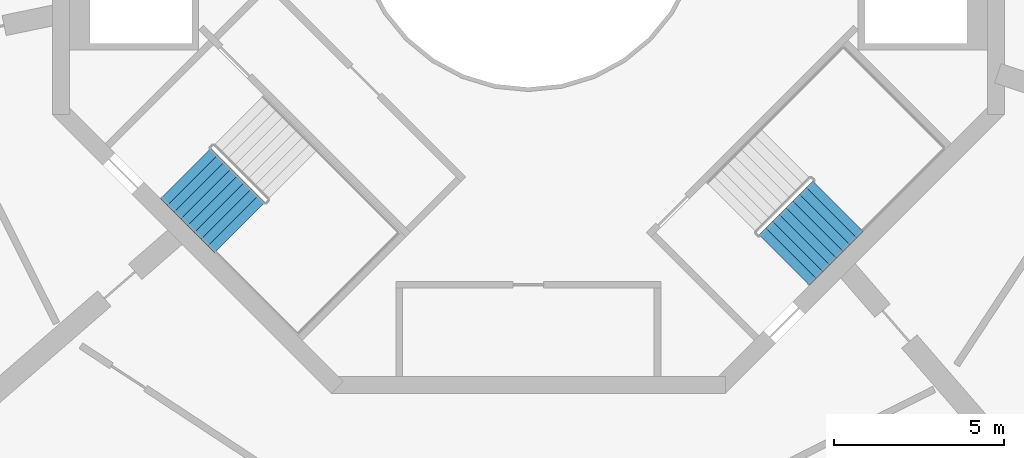
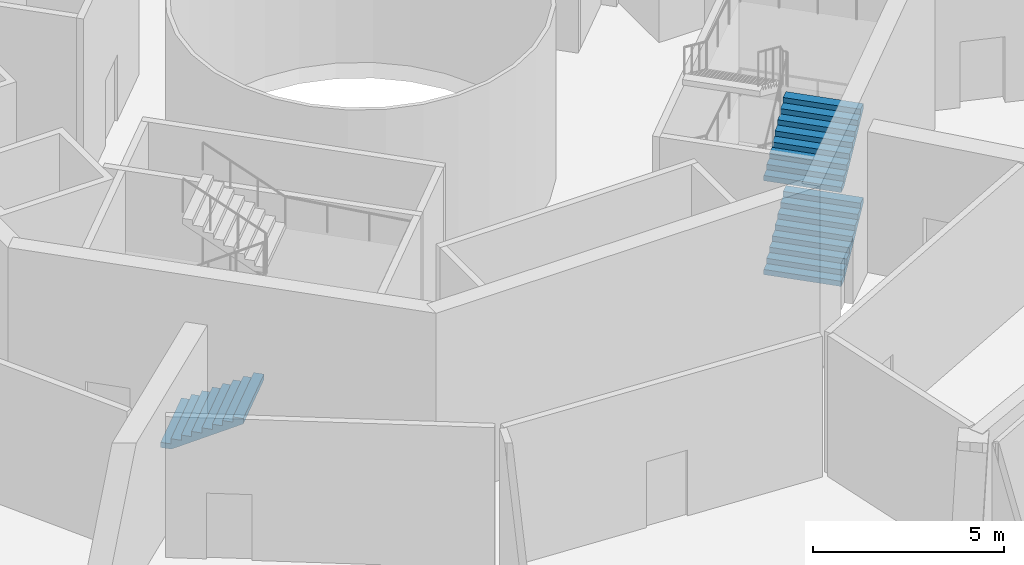
# One storey, part 10 of 16: 3 stair flights, 2 elements without a shape of their own.
"""IFC4 building model written with IfcOpenShell, lengths in metres."""

import ifcopenshell
import ifcopenshell.guid

model = None  # the IFC model being written
_history = None  # IfcOwnerHistory: only IFC2X3 demands one
_inside = {}  # id of a spatial element -> (the spatial element, [elements in it])
_under = {}  # id of a project, library or spatial element -> (it, [spatial elements below it])
_declared = {}  # id of a project -> (the project, [libraries it declares])
_typed = {}  # id of a type object -> (the type object, [elements of that type])
_made_of = {}  # id of a material, layer set ... -> (it, [elements and type objects made of it])


def new_model(schema):
    """Start an empty IFC model of exactly this schema.

    Asked for "IFC4X3", IfcOpenShell would pick the latest addendum, in which some entities
    have other attributes; the version numbers below select the first issue.
    IFC2X3 requires an IfcOwnerHistory on every rooted entity: one is made here for all.
    """
    global model, _history
    if schema == "IFC4X3":
        model = ifcopenshell.file(schema_version=(4, 3, 0, 0))
    else:
        model = ifcopenshell.file(schema=schema)
    _inside.clear()
    _under.clear()
    _declared.clear()
    _typed.clear()
    _made_of.clear()
    _history = None
    if model.schema == "IFC2X3":
        org = make("IfcOrganization", Name="unknown")
        user = make(
            "IfcPersonAndOrganization",
            ThePerson=make("IfcPerson", FamilyName="unknown"),
            TheOrganization=org,
        )
        app = make(
            "IfcApplication",
            ApplicationDeveloper=org,
            Version="unknown",
            ApplicationFullName="unknown",
            ApplicationIdentifier="unknown",
        )
        _history = make(
            "IfcOwnerHistory",
            OwningUser=user,
            OwningApplication=app,
            ChangeAction="ADDED",
            CreationDate=0,
        )
    return model


def make(cls, **values):
    """One entity of the class cls with the attributes given. An attribute that is None is left unset."""
    return model.create_entity(
        cls, **{name: value for name, value in values.items() if value is not None}
    )


def rooted(cls, **values):
    """An entity with a GlobalId (a new one), such as an element, a storey or a relation."""
    return make(cls, GlobalId=ifcopenshell.guid.new(), OwnerHistory=_history, **values)


def si_unit(unit_type, name, prefix=None):
    """IfcSIUnit, for example si_unit("LENGTHUNIT", "METRE", prefix="MILLI")."""
    return make("IfcSIUnit", UnitType=unit_type, Prefix=prefix, Name=name)


def assignment(units):
    """IfcUnitAssignment: the units of a project."""
    return None if units is None else make("IfcUnitAssignment", Units=units)


def point(xyz):
    """IfcCartesianPoint."""
    return None if xyz is None else make("IfcCartesianPoint", Coordinates=xyz)


def direction(xyz):
    """IfcDirection."""
    return None if xyz is None else make("IfcDirection", DirectionRatios=xyz)


def frame(location, z_axis=None, x_axis=None):
    """IfcAxis2Placement3D, a coordinate frame: its origin and axes. An axis left out is left unset."""
    return make(
        "IfcAxis2Placement3D",
        Location=point(location),
        Axis=direction(z_axis),
        RefDirection=direction(x_axis),
    )


def origin():
    """The frame at (0, 0, 0) with its axes left unset."""
    return frame((0.0, 0.0, 0.0))


def place(relative_to, where):
    """IfcLocalPlacement: puts the frame where relative to a parent placement (None: the world)."""
    return make(
        "IfcLocalPlacement", PlacementRelTo=relative_to, RelativePlacement=where
    )


def context(
    kind, dimensions, precision=None, world=None, true_north=None, identifier=None
):
    """IfcGeometricRepresentationContext, for example the 3D "Model" context."""
    return make(
        "IfcGeometricRepresentationContext",
        ContextIdentifier=identifier,
        ContextType=kind,
        CoordinateSpaceDimension=dimensions,
        Precision=precision,
        WorldCoordinateSystem=world,
        TrueNorth=true_north,
    )


def subcontext(parent, identifier, kind, view, scale=None):
    """IfcGeometricRepresentationSubContext, for example "Body" below "Model"."""
    return make(
        "IfcGeometricRepresentationSubContext",
        ContextIdentifier=identifier,
        ContextType=kind,
        ParentContext=parent,
        TargetScale=scale,
        TargetView=view,
    )


def project(units=None, contexts=None):
    """IfcProject with its units and contexts."""
    return rooted(
        "IfcProject",
        Name="project",
        RepresentationContexts=contexts,
        UnitsInContext=assignment(units),
    )


def spatial(cls, under=None, at=None, **own):
    """A site, building, storey or space (cls), placed at a placement, below another one or the project."""
    s = rooted(cls, ObjectPlacement=at, **own)
    if under is not None:
        _under.setdefault(under.id(), (under, []))[1].append(s)
    return s


def point_list(points):
    """IfcCartesianPointList2D or 3D."""
    cls = (
        "IfcCartesianPointList2D" if len(points[0]) == 2 else "IfcCartesianPointList3D"
    )
    return make(cls, CoordList=points)


def triangles(points, corners, closed=None, point_numbers=None):
    """IfcTriangulatedFaceSet: each triangle names its three corners, points numbered from 1."""
    return make(
        "IfcTriangulatedFaceSet",
        Coordinates=point_list(points),
        Closed=closed,
        CoordIndex=corners,
        PnIndex=point_numbers,
    )


def shape(context_of_items, identifier, shape_type, items):
    """IfcShapeRepresentation: the items that make up one representation, for example the "Body"."""
    return make(
        "IfcShapeRepresentation",
        ContextOfItems=context_of_items,
        RepresentationIdentifier=identifier,
        RepresentationType=shape_type,
        Items=items,
    )


def material(Name=None, Category=None):
    """IfcMaterial."""
    return make("IfcMaterial", Name=Name, Category=Category)


def made_of(thing, what):
    """Note that an element or type object is made of a material, layer set ...; save() writes the relation."""
    if what is not None:
        _made_of.setdefault(what.id(), (what, []))[1].append(thing)
    return thing


def type_object(cls, material=None, **own):
    """A type object (cls), such as IfcWallType, which elements share."""
    return made_of(rooted(cls, **own), material)


def element(
    cls,
    number,
    at=None,
    inside=None,
    cuts=None,
    type_object=None,
    material=None,
    context=None,
    identifier="Body",
    shape_type=None,
    held_by="IfcProductDefinitionShape",
    body=None,
    shapes=None,
    **own,
):
    """One element of the class cls, such as IfcWall. Its Tag is "e" and its number.

    at: its placement. inside: the storey or other place that contains it. cuts: it is an
    opening in that element (IfcRelVoidsElement). A single representation is given by context,
    identifier, shape_type and body (its items); several are given by shapes. held_by: the class
    of the entity that holds the representations. save() writes the other relations.
    """
    e = rooted(cls, Tag="e%d" % number, ObjectPlacement=at, **own)
    if body is not None:
        shapes = [shape(context, identifier, shape_type, body)]
    if shapes is not None:
        e.Representation = make(held_by, Representations=shapes)
    if inside is not None:
        _inside.setdefault(inside.id(), (inside, []))[1].append(e)
    if cuts is not None:
        rooted(
            "IfcRelVoidsElement", RelatingBuildingElement=cuts, RelatedOpeningElement=e
        )
    if type_object is not None:
        _typed.setdefault(type_object.id(), (type_object, []))[1].append(e)
    return made_of(e, material)


def aggregate(whole, parts):
    """IfcRelAggregates: a whole, such as a stair, and the parts it consists of."""
    return rooted("IfcRelAggregates", RelatingObject=whole, RelatedObjects=parts)


def save(model, path):
    """Write the relations noted so far, then the file.

    IfcRelAggregates (storeys below a building ...), IfcRelContainedInSpatialStructure (elements
    in a storey), IfcRelDefinesByType, IfcRelAssociatesMaterial and IfcRelDeclares: one each for
    every whole, place, type object, material and project.
    """
    for whole, parts in _under.values():
        aggregate(whole, parts)
    for where, things in _inside.values():
        rooted(
            "IfcRelContainedInSpatialStructure",
            RelatedElements=things,
            RelatingStructure=where,
        )
    for kind, things in _typed.values():
        rooted("IfcRelDefinesByType", RelatedObjects=things, RelatingType=kind)
    for what, things in _made_of.values():
        rooted("IfcRelAssociatesMaterial", RelatedObjects=things, RelatingMaterial=what)
    for by, libraries in _declared.values():
        rooted("IfcRelDeclares", RelatingContext=by, RelatedDefinitions=libraries)
    model.write(path)


model = new_model("IFC4")

# Units and contexts
model_context = context("Model", 3, precision=1e-05, world=origin(), true_north=direction((0.0, 1.0)))
body_context = subcontext(model_context, "Body", "Model", "MODEL_VIEW")
ifc_project = project(units=[si_unit("LENGTHUNIT", "METRE"), si_unit("AREAUNIT", "SQUARE_METRE"), si_unit("VOLUMEUNIT", "CUBIC_METRE"), si_unit("PLANEANGLEUNIT", "RADIAN"), si_unit("MASSUNIT", "GRAM", prefix="KILO")], contexts=[model_context])

# Site, building, storey
site_placement = place(None, origin())
site = spatial("IfcSite", under=ifc_project, at=site_placement, CompositionType="ELEMENT")
building_placement = place(site_placement, origin())
building = spatial("IfcBuilding", under=site, at=building_placement, Name="Verdalira Terraces Hotel", CompositionType="ELEMENT")
storey_placement = place(building_placement, frame((0.0, 0.0, 263.0)))
storey = spatial("IfcBuildingStorey", under=building, at=storey_placement, Name="L65", CompositionType="ELEMENT", Elevation=263.0)

# Stair, stair flight
ifc_material_1 = material(Name="Concrete C40", Category="concrete")
stair_type = type_object("IfcStairType", Name="Core stair 36 risers 2100 mm wide", PredefinedType="HALF_TURN_STAIR", material=ifc_material_1)
stair_1_placement = place(storey_placement, origin())
stair_1 = element("IfcStair", 1, at=stair_1_placement, inside=storey, type_object=stair_type, Name="L65 Exit stair ST2", PredefinedType="HALF_TURN_STAIR")
ifc_material_2 = material(Name="Concrete C40", Category="concrete")
stair_flight_type = type_object("IfcStairFlightType", Name="Core stair flight 36 risers 2100 mm wide", PredefinedType="STRAIGHT", material=ifc_material_2)
stair_flight_1_placement = place(storey_placement, frame((-10.076172, -7.530762, 0.0), z_axis=(0.0, 0.0, 1.0), x_axis=(0.707106781, -0.707106781, 0.0)))
stair_flight_1 = element("IfcStairFlight", 2, at=stair_flight_1_placement, type_object=stair_flight_type, Name="ST2 flight 1", NumberOfRisers=9, NumberOfTreads=8, PredefinedType="STRAIGHT", RiserHeight=0.166666667, TreadLength=0.28, context=body_context, shape_type="Tessellation", body=[
    triangles([(0.0, 1.050049, 0.0), (0.292969, 1.050049, 0.0), (2.23999, 1.050049, 1.158936), (0.0, -1.050049, 0.0), (0.292969, -1.050049, 0.0), (2.23999, -1.050049, 1.158936), (2.23999, 1.050049, 1.333252), (1.959961, 1.050049, 1.333252), (2.23999, -1.050049, 1.333252), (1.959961, -1.050049, 1.333252), (1.959961, 1.050049, 1.166748), (1.959961, -1.050049, 1.166748), (1.679932, 1.050049, 1.166748), (1.679932, -1.050049, 1.166748), (1.679932, 1.050049, 1.0), (1.679932, -1.050049, 1.0), (1.399902, 1.050049, 1.0), (1.399902, 1.050049, 0.833252), (1.399902, -1.050049, 1.0), (1.399902, -1.050049, 0.833252), (1.120117, 1.050049, 0.833252), (1.120117, 1.050049, 0.666748), (1.120117, -1.050049, 0.833252), (1.120117, -1.050049, 0.666748), (0.840088, 1.050049, 0.666748), (0.840088, 1.050049, 0.5), (0.840088, -1.050049, 0.666748), (0.840088, -1.050049, 0.5), (0.560059, 1.050049, 0.5), (0.560059, 1.050049, 0.333252), (0.560059, -1.050049, 0.5), (0.560059, -1.050049, 0.333252), (0.280029, 1.050049, 0.333252), (0.280029, 1.050049, 0.166748), (0.280029, -1.050049, 0.333252), (0.280029, -1.050049, 0.166748), (0.0, 1.050049, 0.166748), (0.0, -1.050049, 0.166748), (0.0, -0.984421, 0.0), (0.0, -0.984421, 0.166748), (0.0, -0.918793, 0.0), (0.0, -0.918793, 0.166748), (0.0, -0.853165, 0.0), (0.0, -0.853165, 0.166748), (0.0, -0.787537, 0.0), (0.0, -0.787537, 0.166748), (0.0, -0.721909, 0.0), (0.0, -0.721909, 0.166748), (0.0, -0.656281, 0.0), (0.0, -0.656281, 0.166748), (0.0, -0.590652, 0.0), (0.0, -0.590652, 0.166748), (0.0, -0.525024, 0.0), (0.0, -0.525024, 0.166748), (0.0, -0.459396, 0.0), (0.0, -0.459396, 0.166748), (0.0, -0.393768, 0.0), (0.0, -0.393768, 0.166748), (0.0, -0.32814, 0.0), (0.0, -0.32814, 0.166748), (0.0, -0.262512, 0.0), (0.0, -0.262512, 0.166748), (0.0, -0.196884, 0.0), (0.0, -0.196884, 0.166748), (0.0, -0.131256, 0.0), (0.0, -0.131256, 0.166748), (0.0, -0.065628, 0.0), (0.0, -0.065628, 0.166748), (0.0, 0.0, 0.0), (0.0, 0.0, 0.166748), (0.0, 0.065628, 0.0), (0.0, 0.065628, 0.166748), (0.0, 0.131256, 0.0), (0.0, 0.131256, 0.166748), (0.0, 0.196884, 0.0), (0.0, 0.196884, 0.166748), (0.0, 0.262512, 0.0), (0.0, 0.262512, 0.166748), (0.0, 0.32814, 0.0), (0.0, 0.32814, 0.166748), (0.0, 0.393768, 0.0), (0.0, 0.393768, 0.166748), (0.0, 0.459396, 0.0), (0.0, 0.459396, 0.166748), (0.0, 0.525024, 0.0), (0.0, 0.525024, 0.166748), (0.0, 0.590652, 0.0), (0.0, 0.590652, 0.166748), (0.0, 0.656281, 0.0), (0.0, 0.656281, 0.166748), (0.0, 0.721909, 0.0), (0.0, 0.721909, 0.166748), (0.0, 0.787537, 0.0), (0.0, 0.787537, 0.166748), (0.0, 0.853165, 0.0), (0.0, 0.853165, 0.166748), (0.0, 0.918793, 0.0), (0.0, 0.918793, 0.166748), (0.0, 0.984421, 0.0), (0.0, 0.984421, 0.166748), (2.23999, -0.984421, 1.333252), (2.23999, -0.918793, 1.333252), (2.23999, -0.853165, 1.333252), (2.23999, -0.787537, 1.333252), (2.23999, -0.721909, 1.333252), (2.23999, -0.656281, 1.333252), (2.23999, -0.590652, 1.333252), (2.23999, -0.525024, 1.333252), (2.23999, -0.459396, 1.333252), (2.23999, -0.393768, 1.333252), (2.23999, -0.32814, 1.333252), (2.23999, -0.262512, 1.333252), (2.23999, -0.196884, 1.333252), (2.23999, -0.131256, 1.333252), (2.23999, -0.065628, 1.333252), (2.23999, 0.0, 1.333252), (2.23999, 0.065628, 1.333252), (2.23999, 0.131256, 1.333252), (2.23999, 0.196884, 1.333252), (2.23999, 0.262512, 1.333252), (2.23999, 0.32814, 1.333252), (2.23999, 0.393768, 1.333252), (2.23999, 0.459396, 1.333252), (2.23999, 0.525024, 1.333252), (2.23999, 0.590652, 1.333252), (2.23999, 0.656281, 1.333252), (2.23999, 0.721909, 1.333252), (2.23999, 0.787537, 1.333252), (2.23999, 0.853165, 1.333252), (2.23999, 0.918793, 1.333252), (2.23999, 0.984421, 1.333252), (2.23999, -0.984421, 1.158936), (2.23999, -0.918793, 1.158936), (2.23999, -0.853165, 1.158936), (2.23999, -0.787537, 1.158936), (2.23999, -0.721909, 1.158936), (2.23999, -0.656281, 1.158936), (2.23999, -0.590652, 1.158936), (2.23999, -0.525024, 1.158936), (2.23999, -0.459396, 1.158936), (2.23999, -0.393768, 1.158936), (2.23999, -0.32814, 1.158936), (2.23999, -0.262512, 1.158936), (2.23999, -0.196884, 1.158936), (2.23999, -0.131256, 1.158936), (2.23999, -0.065628, 1.158936), (2.23999, 0.0, 1.158936), (2.23999, 0.065628, 1.158936), (2.23999, 0.131256, 1.158936), (2.23999, 0.196884, 1.158936), (2.23999, 0.262512, 1.158936), (2.23999, 0.32814, 1.158936), (2.23999, 0.393768, 1.158936), (2.23999, 0.459396, 1.158936), (2.23999, 0.525024, 1.158936), (2.23999, 0.590652, 1.158936), (2.23999, 0.656281, 1.158936), (2.23999, 0.721909, 1.158936), (2.23999, 0.787537, 1.158936), (2.23999, 0.853165, 1.158936), (2.23999, 0.918793, 1.158936), (2.23999, 0.984421, 1.158936)], [[1, 3, 2], [4, 5, 6], [3, 8, 7], [6, 9, 10], [3, 11, 8], [6, 10, 12], [3, 13, 11], [6, 12, 14], [3, 15, 13], [6, 14, 16], [15, 18, 17], [16, 19, 20], [3, 18, 15], [6, 16, 20], [18, 22, 21], [20, 23, 24], [3, 22, 18], [6, 20, 24], [22, 26, 25], [24, 27, 28], [3, 26, 22], [6, 24, 28], [26, 30, 29], [28, 31, 32], [3, 30, 26], [6, 28, 32], [1, 30, 3], [4, 6, 32], [30, 34, 33], [32, 35, 36], [1, 34, 30], [4, 32, 36], [34, 1, 37], [36, 38, 4], [4, 40, 39], [4, 38, 40], [39, 42, 41], [39, 40, 42], [41, 44, 43], [41, 42, 44], [43, 46, 45], [43, 44, 46], [45, 48, 47], [45, 46, 48], [47, 50, 49], [47, 48, 50], [49, 52, 51], [49, 50, 52], [51, 54, 53], [51, 52, 54], [53, 56, 55], [53, 54, 56], [55, 58, 57], [55, 56, 58], [57, 60, 59], [57, 58, 60], [59, 62, 61], [59, 60, 62], [61, 64, 63], [61, 62, 64], [63, 66, 65], [63, 64, 66], [65, 68, 67], [65, 66, 68], [67, 70, 69], [67, 68, 70], [69, 72, 71], [69, 70, 72], [71, 74, 73], [71, 72, 74], [73, 76, 75], [73, 74, 76], [75, 78, 77], [75, 76, 78], [77, 80, 79], [77, 78, 80], [79, 82, 81], [79, 80, 82], [81, 84, 83], [81, 82, 84], [83, 86, 85], [83, 84, 86], [85, 88, 87], [85, 86, 88], [87, 90, 89], [87, 88, 90], [89, 92, 91], [89, 90, 92], [91, 94, 93], [91, 92, 94], [93, 96, 95], [93, 94, 96], [95, 98, 97], [95, 96, 98], [97, 100, 99], [97, 98, 100], [99, 37, 1], [99, 100, 37], [38, 36, 40], [40, 36, 42], [42, 36, 44], [44, 36, 46], [46, 36, 48], [48, 36, 50], [50, 36, 52], [52, 36, 54], [54, 36, 56], [56, 36, 58], [58, 36, 60], [60, 36, 62], [62, 36, 64], [64, 36, 66], [66, 36, 68], [68, 36, 70], [70, 36, 72], [72, 36, 74], [74, 36, 76], [76, 36, 78], [78, 36, 80], [80, 36, 82], [82, 36, 84], [84, 36, 86], [86, 36, 88], [88, 36, 90], [90, 36, 92], [92, 36, 94], [94, 36, 96], [96, 36, 98], [98, 36, 100], [100, 36, 37], [37, 36, 34], [36, 33, 34], [36, 35, 33], [35, 30, 33], [35, 32, 30], [32, 29, 30], [32, 31, 29], [31, 26, 29], [31, 28, 26], [28, 25, 26], [28, 27, 25], [27, 22, 25], [27, 24, 22], [24, 21, 22], [24, 23, 21], [23, 18, 21], [23, 20, 18], [20, 17, 18], [20, 19, 17], [19, 15, 17], [19, 16, 15], [16, 13, 15], [16, 14, 13], [14, 11, 13], [14, 12, 11], [12, 8, 11], [12, 10, 8], [9, 101, 10], [101, 102, 10], [102, 103, 10], [103, 104, 10], [104, 105, 10], [105, 106, 10], [106, 107, 10], [107, 108, 10], [108, 109, 10], [109, 110, 10], [110, 111, 10], [111, 112, 10], [112, 113, 10], [113, 114, 10], [114, 115, 10], [115, 116, 10], [116, 117, 10], [117, 118, 10], [118, 119, 10], [119, 120, 10], [120, 121, 10], [121, 122, 10], [122, 123, 10], [123, 124, 10], [124, 125, 10], [125, 126, 10], [126, 127, 10], [127, 128, 10], [128, 129, 10], [129, 130, 10], [130, 131, 10], [131, 7, 10], [7, 8, 10], [9, 132, 101], [9, 6, 132], [101, 133, 102], [101, 132, 133], [102, 134, 103], [102, 133, 134], [103, 135, 104], [103, 134, 135], [104, 136, 105], [104, 135, 136], [105, 137, 106], [105, 136, 137], [106, 138, 107], [106, 137, 138], [107, 139, 108], [107, 138, 139], [108, 140, 109], [108, 139, 140], [109, 141, 110], [109, 140, 141], [110, 142, 111], [110, 141, 142], [111, 143, 112], [111, 142, 143], [112, 144, 113], [112, 143, 144], [113, 145, 114], [113, 144, 145], [114, 146, 115], [114, 145, 146], [115, 147, 116], [115, 146, 147], [116, 148, 117], [116, 147, 148], [117, 149, 118], [117, 148, 149], [118, 150, 119], [118, 149, 150], [119, 151, 120], [119, 150, 151], [120, 152, 121], [120, 151, 152], [121, 153, 122], [121, 152, 153], [122, 154, 123], [122, 153, 154], [123, 155, 124], [123, 154, 155], [124, 156, 125], [124, 155, 156], [125, 157, 126], [125, 156, 157], [126, 158, 127], [126, 157, 158], [127, 159, 128], [127, 158, 159], [128, 160, 129], [128, 159, 160], [129, 161, 130], [129, 160, 161], [130, 162, 131], [130, 161, 162], [131, 3, 7], [131, 162, 3], [6, 5, 132], [132, 5, 133], [133, 5, 134], [134, 5, 135], [135, 5, 136], [136, 5, 137], [137, 5, 138], [138, 5, 139], [139, 5, 140], [140, 5, 141], [141, 5, 142], [142, 5, 143], [143, 5, 144], [144, 5, 145], [145, 5, 146], [146, 5, 147], [147, 5, 148], [148, 5, 149], [149, 5, 150], [150, 5, 151], [151, 5, 152], [152, 5, 153], [153, 5, 154], [154, 5, 155], [155, 5, 156], [156, 5, 157], [157, 5, 158], [158, 5, 159], [159, 5, 160], [160, 5, 161], [161, 5, 162], [162, 5, 3], [3, 5, 2], [4, 39, 5], [39, 41, 5], [41, 43, 5], [43, 45, 5], [45, 47, 5], [47, 49, 5], [49, 51, 5], [51, 53, 5], [53, 55, 5], [55, 57, 5], [57, 59, 5], [59, 61, 5], [61, 63, 5], [63, 65, 5], [65, 67, 5], [67, 69, 5], [69, 71, 5], [71, 73, 5], [73, 75, 5], [75, 77, 5], [77, 79, 5], [79, 81, 5], [81, 83, 5], [83, 85, 5], [85, 87, 5], [87, 89, 5], [89, 91, 5], [91, 93, 5], [93, 95, 5], [95, 97, 5], [97, 99, 5], [99, 1, 5], [1, 2, 5]], closed=True),
])
aggregate(stair_1, [stair_flight_1])

# Stair, stair flights
stair_2_placement = place(storey_placement, origin())
stair_2 = element("IfcStair", 3, at=stair_2_placement, inside=storey, type_object=stair_type, Name="L65 Exit stair ST3", PredefinedType="HALF_TURN_STAIR")
stair_flight_2_placement = place(storey_placement, frame((7.530762, -10.076172, 0.0), z_axis=(0.0, 0.0, 1.0), x_axis=(0.707106781, 0.707106781, 0.0)))
stair_flight_2 = element("IfcStairFlight", 4, at=stair_flight_2_placement, type_object=stair_flight_type, Name="ST3 flight 1", NumberOfRisers=9, NumberOfTreads=8, PredefinedType="STRAIGHT", RiserHeight=0.166666667, TreadLength=0.28, context=body_context, shape_type="Tessellation", body=[
    triangles([(0.0, 1.050049, 0.0), (0.292969, 1.050049, 0.0), (2.23999, 1.050049, 1.158936), (0.0, -1.050049, 0.0), (0.292969, -1.050049, 0.0), (2.23999, -1.050049, 1.158936), (2.23999, 1.050049, 1.333252), (1.959961, 1.050049, 1.333252), (2.23999, -1.050049, 1.333252), (1.959961, -1.050049, 1.333252), (1.959961, 1.050049, 1.166748), (1.959961, -1.050049, 1.166748), (1.679932, 1.050049, 1.166748), (1.679932, -1.050049, 1.166748), (1.679932, 1.050049, 1.0), (1.679932, -1.050049, 1.0), (1.399902, 1.050049, 1.0), (1.399902, 1.050049, 0.833252), (1.399902, -1.050049, 1.0), (1.399902, -1.050049, 0.833252), (1.120117, 1.050049, 0.833252), (1.120117, 1.050049, 0.666748), (1.120117, -1.050049, 0.833252), (1.120117, -1.050049, 0.666748), (0.840088, 1.050049, 0.666748), (0.840088, 1.050049, 0.5), (0.840088, -1.050049, 0.666748), (0.840088, -1.050049, 0.5), (0.560059, 1.050049, 0.5), (0.560059, 1.050049, 0.333252), (0.560059, -1.050049, 0.5), (0.560059, -1.050049, 0.333252), (0.280029, 1.050049, 0.333252), (0.280029, 1.050049, 0.166748), (0.280029, -1.050049, 0.333252), (0.280029, -1.050049, 0.166748), (0.0, 1.050049, 0.166748), (0.0, -1.050049, 0.166748), (0.0, -0.984421, 0.0), (0.0, -0.984421, 0.166748), (0.0, -0.918793, 0.0), (0.0, -0.918793, 0.166748), (0.0, -0.853165, 0.0), (0.0, -0.853165, 0.166748), (0.0, -0.787537, 0.0), (0.0, -0.787537, 0.166748), (0.0, -0.721909, 0.0), (0.0, -0.721909, 0.166748), (0.0, -0.656281, 0.0), (0.0, -0.656281, 0.166748), (0.0, -0.590652, 0.0), (0.0, -0.590652, 0.166748), (0.0, -0.525024, 0.0), (0.0, -0.525024, 0.166748), (0.0, -0.459396, 0.0), (0.0, -0.459396, 0.166748), (0.0, -0.393768, 0.0), (0.0, -0.393768, 0.166748), (0.0, -0.32814, 0.0), (0.0, -0.32814, 0.166748), (0.0, -0.262512, 0.0), (0.0, -0.262512, 0.166748), (0.0, -0.196884, 0.0), (0.0, -0.196884, 0.166748), (0.0, -0.131256, 0.0), (0.0, -0.131256, 0.166748), (0.0, -0.065628, 0.0), (0.0, -0.065628, 0.166748), (0.0, 0.0, 0.0), (0.0, 0.0, 0.166748), (0.0, 0.065628, 0.0), (0.0, 0.065628, 0.166748), (0.0, 0.131256, 0.0), (0.0, 0.131256, 0.166748), (0.0, 0.196884, 0.0), (0.0, 0.196884, 0.166748), (0.0, 0.262512, 0.0), (0.0, 0.262512, 0.166748), (0.0, 0.32814, 0.0), (0.0, 0.32814, 0.166748), (0.0, 0.393768, 0.0), (0.0, 0.393768, 0.166748), (0.0, 0.459396, 0.0), (0.0, 0.459396, 0.166748), (0.0, 0.525024, 0.0), (0.0, 0.525024, 0.166748), (0.0, 0.590652, 0.0), (0.0, 0.590652, 0.166748), (0.0, 0.656281, 0.0), (0.0, 0.656281, 0.166748), (0.0, 0.721909, 0.0), (0.0, 0.721909, 0.166748), (0.0, 0.787537, 0.0), (0.0, 0.787537, 0.166748), (0.0, 0.853165, 0.0), (0.0, 0.853165, 0.166748), (0.0, 0.918793, 0.0), (0.0, 0.918793, 0.166748), (0.0, 0.984421, 0.0), (0.0, 0.984421, 0.166748), (2.23999, -0.984421, 1.333252), (2.23999, -0.918793, 1.333252), (2.23999, -0.853165, 1.333252), (2.23999, -0.787537, 1.333252), (2.23999, -0.721909, 1.333252), (2.23999, -0.656281, 1.333252), (2.23999, -0.590652, 1.333252), (2.23999, -0.525024, 1.333252), (2.23999, -0.459396, 1.333252), (2.23999, -0.393768, 1.333252), (2.23999, -0.32814, 1.333252), (2.23999, -0.262512, 1.333252), (2.23999, -0.196884, 1.333252), (2.23999, -0.131256, 1.333252), (2.23999, -0.065628, 1.333252), (2.23999, 0.0, 1.333252), (2.23999, 0.065628, 1.333252), (2.23999, 0.131256, 1.333252), (2.23999, 0.196884, 1.333252), (2.23999, 0.262512, 1.333252), (2.23999, 0.32814, 1.333252), (2.23999, 0.393768, 1.333252), (2.23999, 0.459396, 1.333252), (2.23999, 0.525024, 1.333252), (2.23999, 0.590652, 1.333252), (2.23999, 0.656281, 1.333252), (2.23999, 0.721909, 1.333252), (2.23999, 0.787537, 1.333252), (2.23999, 0.853165, 1.333252), (2.23999, 0.918793, 1.333252), (2.23999, 0.984421, 1.333252), (2.23999, -0.984421, 1.158936), (2.23999, -0.918793, 1.158936), (2.23999, -0.853165, 1.158936), (2.23999, -0.787537, 1.158936), (2.23999, -0.721909, 1.158936), (2.23999, -0.656281, 1.158936), (2.23999, -0.590652, 1.158936), (2.23999, -0.525024, 1.158936), (2.23999, -0.459396, 1.158936), (2.23999, -0.393768, 1.158936), (2.23999, -0.32814, 1.158936), (2.23999, -0.262512, 1.158936), (2.23999, -0.196884, 1.158936), (2.23999, -0.131256, 1.158936), (2.23999, -0.065628, 1.158936), (2.23999, 0.0, 1.158936), (2.23999, 0.065628, 1.158936), (2.23999, 0.131256, 1.158936), (2.23999, 0.196884, 1.158936), (2.23999, 0.262512, 1.158936), (2.23999, 0.32814, 1.158936), (2.23999, 0.393768, 1.158936), (2.23999, 0.459396, 1.158936), (2.23999, 0.525024, 1.158936), (2.23999, 0.590652, 1.158936), (2.23999, 0.656281, 1.158936), (2.23999, 0.721909, 1.158936), (2.23999, 0.787537, 1.158936), (2.23999, 0.853165, 1.158936), (2.23999, 0.918793, 1.158936), (2.23999, 0.984421, 1.158936)], [[1, 3, 2], [4, 5, 6], [3, 8, 7], [6, 9, 10], [3, 11, 8], [6, 10, 12], [3, 13, 11], [6, 12, 14], [3, 15, 13], [6, 14, 16], [15, 18, 17], [16, 19, 20], [3, 18, 15], [6, 16, 20], [18, 22, 21], [20, 23, 24], [3, 22, 18], [6, 20, 24], [22, 26, 25], [24, 27, 28], [3, 26, 22], [6, 24, 28], [26, 30, 29], [28, 31, 32], [3, 30, 26], [6, 28, 32], [1, 30, 3], [4, 6, 32], [30, 34, 33], [32, 35, 36], [1, 34, 30], [4, 32, 36], [34, 1, 37], [36, 38, 4], [4, 40, 39], [4, 38, 40], [39, 42, 41], [39, 40, 42], [41, 44, 43], [41, 42, 44], [43, 46, 45], [43, 44, 46], [45, 48, 47], [45, 46, 48], [47, 50, 49], [47, 48, 50], [49, 52, 51], [49, 50, 52], [51, 54, 53], [51, 52, 54], [53, 56, 55], [53, 54, 56], [55, 58, 57], [55, 56, 58], [57, 60, 59], [57, 58, 60], [59, 62, 61], [59, 60, 62], [61, 64, 63], [61, 62, 64], [63, 66, 65], [63, 64, 66], [65, 68, 67], [65, 66, 68], [67, 70, 69], [67, 68, 70], [69, 72, 71], [69, 70, 72], [71, 74, 73], [71, 72, 74], [73, 76, 75], [73, 74, 76], [75, 78, 77], [75, 76, 78], [77, 80, 79], [77, 78, 80], [79, 82, 81], [79, 80, 82], [81, 84, 83], [81, 82, 84], [83, 86, 85], [83, 84, 86], [85, 88, 87], [85, 86, 88], [87, 90, 89], [87, 88, 90], [89, 92, 91], [89, 90, 92], [91, 94, 93], [91, 92, 94], [93, 96, 95], [93, 94, 96], [95, 98, 97], [95, 96, 98], [97, 100, 99], [97, 98, 100], [99, 37, 1], [99, 100, 37], [38, 36, 40], [40, 36, 42], [42, 36, 44], [44, 36, 46], [46, 36, 48], [48, 36, 50], [50, 36, 52], [52, 36, 54], [54, 36, 56], [56, 36, 58], [58, 36, 60], [60, 36, 62], [62, 36, 64], [64, 36, 66], [66, 36, 68], [68, 36, 70], [70, 36, 72], [72, 36, 74], [74, 36, 76], [76, 36, 78], [78, 36, 80], [80, 36, 82], [82, 36, 84], [84, 36, 86], [86, 36, 88], [88, 36, 90], [90, 36, 92], [92, 36, 94], [94, 36, 96], [96, 36, 98], [98, 36, 100], [100, 36, 37], [37, 36, 34], [36, 33, 34], [36, 35, 33], [35, 30, 33], [35, 32, 30], [32, 29, 30], [32, 31, 29], [31, 26, 29], [31, 28, 26], [28, 25, 26], [28, 27, 25], [27, 22, 25], [27, 24, 22], [24, 21, 22], [24, 23, 21], [23, 18, 21], [23, 20, 18], [20, 17, 18], [20, 19, 17], [19, 15, 17], [19, 16, 15], [16, 13, 15], [16, 14, 13], [14, 11, 13], [14, 12, 11], [12, 8, 11], [12, 10, 8], [9, 101, 10], [101, 102, 10], [102, 103, 10], [103, 104, 10], [104, 105, 10], [105, 106, 10], [106, 107, 10], [107, 108, 10], [108, 109, 10], [109, 110, 10], [110, 111, 10], [111, 112, 10], [112, 113, 10], [113, 114, 10], [114, 115, 10], [115, 116, 10], [116, 117, 10], [117, 118, 10], [118, 119, 10], [119, 120, 10], [120, 121, 10], [121, 122, 10], [122, 123, 10], [123, 124, 10], [124, 125, 10], [125, 126, 10], [126, 127, 10], [127, 128, 10], [128, 129, 10], [129, 130, 10], [130, 131, 10], [131, 7, 10], [7, 8, 10], [9, 132, 101], [9, 6, 132], [101, 133, 102], [101, 132, 133], [102, 134, 103], [102, 133, 134], [103, 135, 104], [103, 134, 135], [104, 136, 105], [104, 135, 136], [105, 137, 106], [105, 136, 137], [106, 138, 107], [106, 137, 138], [107, 139, 108], [107, 138, 139], [108, 140, 109], [108, 139, 140], [109, 141, 110], [109, 140, 141], [110, 142, 111], [110, 141, 142], [111, 143, 112], [111, 142, 143], [112, 144, 113], [112, 143, 144], [113, 145, 114], [113, 144, 145], [114, 146, 115], [114, 145, 146], [115, 147, 116], [115, 146, 147], [116, 148, 117], [116, 147, 148], [117, 149, 118], [117, 148, 149], [118, 150, 119], [118, 149, 150], [119, 151, 120], [119, 150, 151], [120, 152, 121], [120, 151, 152], [121, 153, 122], [121, 152, 153], [122, 154, 123], [122, 153, 154], [123, 155, 124], [123, 154, 155], [124, 156, 125], [124, 155, 156], [125, 157, 126], [125, 156, 157], [126, 158, 127], [126, 157, 158], [127, 159, 128], [127, 158, 159], [128, 160, 129], [128, 159, 160], [129, 161, 130], [129, 160, 161], [130, 162, 131], [130, 161, 162], [131, 3, 7], [131, 162, 3], [6, 5, 132], [132, 5, 133], [133, 5, 134], [134, 5, 135], [135, 5, 136], [136, 5, 137], [137, 5, 138], [138, 5, 139], [139, 5, 140], [140, 5, 141], [141, 5, 142], [142, 5, 143], [143, 5, 144], [144, 5, 145], [145, 5, 146], [146, 5, 147], [147, 5, 148], [148, 5, 149], [149, 5, 150], [150, 5, 151], [151, 5, 152], [152, 5, 153], [153, 5, 154], [154, 5, 155], [155, 5, 156], [156, 5, 157], [157, 5, 158], [158, 5, 159], [159, 5, 160], [160, 5, 161], [161, 5, 162], [162, 5, 3], [3, 5, 2], [4, 39, 5], [39, 41, 5], [41, 43, 5], [43, 45, 5], [45, 47, 5], [47, 49, 5], [49, 51, 5], [51, 53, 5], [53, 55, 5], [55, 57, 5], [57, 59, 5], [59, 61, 5], [61, 63, 5], [63, 65, 5], [65, 67, 5], [67, 69, 5], [69, 71, 5], [71, 73, 5], [73, 75, 5], [75, 77, 5], [77, 79, 5], [79, 81, 5], [81, 83, 5], [83, 85, 5], [85, 87, 5], [87, 89, 5], [89, 91, 5], [91, 93, 5], [93, 95, 5], [95, 97, 5], [97, 99, 5], [99, 1, 5], [1, 2, 5]], closed=True),
])
stair_flight_3_placement = place(storey_placement, frame((7.530762, -10.076172, 3.0), z_axis=(0.0, 0.0, 1.0), x_axis=(0.707106781, 0.707106781, 0.0)))
stair_flight_3 = element("IfcStairFlight", 5, at=stair_flight_3_placement, type_object=stair_flight_type, Name="ST3 flight 3", NumberOfRisers=9, NumberOfTreads=8, PredefinedType="STRAIGHT", RiserHeight=0.166666667, TreadLength=0.28, context=body_context, shape_type="Tessellation", body=[
    triangles([(0.0, 1.050049, 0.0), (0.292969, 1.050049, 0.0), (2.23999, 1.050049, 1.158936), (0.0, -1.050049, 0.0), (0.292969, -1.050049, 0.0), (2.23999, -1.050049, 1.158936), (2.23999, 1.050049, 1.333252), (1.959961, 1.050049, 1.333252), (2.23999, -1.050049, 1.333252), (1.959961, -1.050049, 1.333252), (1.959961, 1.050049, 1.166748), (1.959961, -1.050049, 1.166748), (1.679932, 1.050049, 1.166748), (1.679932, -1.050049, 1.166748), (1.679932, 1.050049, 1.0), (1.679932, -1.050049, 1.0), (1.399902, 1.050049, 1.0), (1.399902, 1.050049, 0.833252), (1.399902, -1.050049, 1.0), (1.399902, -1.050049, 0.833252), (1.120117, 1.050049, 0.833252), (1.120117, 1.050049, 0.666748), (1.120117, -1.050049, 0.833252), (1.120117, -1.050049, 0.666748), (0.840088, 1.050049, 0.666748), (0.840088, 1.050049, 0.5), (0.840088, -1.050049, 0.666748), (0.840088, -1.050049, 0.5), (0.560059, 1.050049, 0.5), (0.560059, 1.050049, 0.333252), (0.560059, -1.050049, 0.5), (0.560059, -1.050049, 0.333252), (0.280029, 1.050049, 0.333252), (0.280029, 1.050049, 0.166748), (0.280029, -1.050049, 0.333252), (0.280029, -1.050049, 0.166748), (0.0, 1.050049, 0.166748), (0.0, -1.050049, 0.166748), (0.0, -0.984421, 0.0), (0.0, -0.984421, 0.166748), (0.0, -0.918793, 0.0), (0.0, -0.918793, 0.166748), (0.0, -0.853165, 0.0), (0.0, -0.853165, 0.166748), (0.0, -0.787537, 0.0), (0.0, -0.787537, 0.166748), (0.0, -0.721909, 0.0), (0.0, -0.721909, 0.166748), (0.0, -0.656281, 0.0), (0.0, -0.656281, 0.166748), (0.0, -0.590652, 0.0), (0.0, -0.590652, 0.166748), (0.0, -0.525024, 0.0), (0.0, -0.525024, 0.166748), (0.0, -0.459396, 0.0), (0.0, -0.459396, 0.166748), (0.0, -0.393768, 0.0), (0.0, -0.393768, 0.166748), (0.0, -0.32814, 0.0), (0.0, -0.32814, 0.166748), (0.0, -0.262512, 0.0), (0.0, -0.262512, 0.166748), (0.0, -0.196884, 0.0), (0.0, -0.196884, 0.166748), (0.0, -0.131256, 0.0), (0.0, -0.131256, 0.166748), (0.0, -0.065628, 0.0), (0.0, -0.065628, 0.166748), (0.0, 0.0, 0.0), (0.0, 0.0, 0.166748), (0.0, 0.065628, 0.0), (0.0, 0.065628, 0.166748), (0.0, 0.131256, 0.0), (0.0, 0.131256, 0.166748), (0.0, 0.196884, 0.0), (0.0, 0.196884, 0.166748), (0.0, 0.262512, 0.0), (0.0, 0.262512, 0.166748), (0.0, 0.32814, 0.0), (0.0, 0.32814, 0.166748), (0.0, 0.393768, 0.0), (0.0, 0.393768, 0.166748), (0.0, 0.459396, 0.0), (0.0, 0.459396, 0.166748), (0.0, 0.525024, 0.0), (0.0, 0.525024, 0.166748), (0.0, 0.590652, 0.0), (0.0, 0.590652, 0.166748), (0.0, 0.656281, 0.0), (0.0, 0.656281, 0.166748), (0.0, 0.721909, 0.0), (0.0, 0.721909, 0.166748), (0.0, 0.787537, 0.0), (0.0, 0.787537, 0.166748), (0.0, 0.853165, 0.0), (0.0, 0.853165, 0.166748), (0.0, 0.918793, 0.0), (0.0, 0.918793, 0.166748), (0.0, 0.984421, 0.0), (0.0, 0.984421, 0.166748), (2.23999, -0.984421, 1.333252), (2.23999, -0.918793, 1.333252), (2.23999, -0.853165, 1.333252), (2.23999, -0.787537, 1.333252), (2.23999, -0.721909, 1.333252), (2.23999, -0.656281, 1.333252), (2.23999, -0.590652, 1.333252), (2.23999, -0.525024, 1.333252), (2.23999, -0.459396, 1.333252), (2.23999, -0.393768, 1.333252), (2.23999, -0.32814, 1.333252), (2.23999, -0.262512, 1.333252), (2.23999, -0.196884, 1.333252), (2.23999, -0.131256, 1.333252), (2.23999, -0.065628, 1.333252), (2.23999, 0.0, 1.333252), (2.23999, 0.065628, 1.333252), (2.23999, 0.131256, 1.333252), (2.23999, 0.196884, 1.333252), (2.23999, 0.262512, 1.333252), (2.23999, 0.32814, 1.333252), (2.23999, 0.393768, 1.333252), (2.23999, 0.459396, 1.333252), (2.23999, 0.525024, 1.333252), (2.23999, 0.590652, 1.333252), (2.23999, 0.656281, 1.333252), (2.23999, 0.721909, 1.333252), (2.23999, 0.787537, 1.333252), (2.23999, 0.853165, 1.333252), (2.23999, 0.918793, 1.333252), (2.23999, 0.984421, 1.333252), (2.23999, -0.984421, 1.158936), (2.23999, -0.918793, 1.158936), (2.23999, -0.853165, 1.158936), (2.23999, -0.787537, 1.158936), (2.23999, -0.721909, 1.158936), (2.23999, -0.656281, 1.158936), (2.23999, -0.590652, 1.158936), (2.23999, -0.525024, 1.158936), (2.23999, -0.459396, 1.158936), (2.23999, -0.393768, 1.158936), (2.23999, -0.32814, 1.158936), (2.23999, -0.262512, 1.158936), (2.23999, -0.196884, 1.158936), (2.23999, -0.131256, 1.158936), (2.23999, -0.065628, 1.158936), (2.23999, 0.0, 1.158936), (2.23999, 0.065628, 1.158936), (2.23999, 0.131256, 1.158936), (2.23999, 0.196884, 1.158936), (2.23999, 0.262512, 1.158936), (2.23999, 0.32814, 1.158936), (2.23999, 0.393768, 1.158936), (2.23999, 0.459396, 1.158936), (2.23999, 0.525024, 1.158936), (2.23999, 0.590652, 1.158936), (2.23999, 0.656281, 1.158936), (2.23999, 0.721909, 1.158936), (2.23999, 0.787537, 1.158936), (2.23999, 0.853165, 1.158936), (2.23999, 0.918793, 1.158936), (2.23999, 0.984421, 1.158936)], [[1, 3, 2], [4, 5, 6], [3, 8, 7], [6, 9, 10], [3, 11, 8], [6, 10, 12], [3, 13, 11], [6, 12, 14], [3, 15, 13], [6, 14, 16], [15, 18, 17], [16, 19, 20], [3, 18, 15], [6, 16, 20], [18, 22, 21], [20, 23, 24], [3, 22, 18], [6, 20, 24], [22, 26, 25], [24, 27, 28], [3, 26, 22], [6, 24, 28], [26, 30, 29], [28, 31, 32], [3, 30, 26], [6, 28, 32], [1, 30, 3], [4, 6, 32], [30, 34, 33], [32, 35, 36], [1, 34, 30], [4, 32, 36], [34, 1, 37], [36, 38, 4], [4, 40, 39], [4, 38, 40], [39, 42, 41], [39, 40, 42], [41, 44, 43], [41, 42, 44], [43, 46, 45], [43, 44, 46], [45, 48, 47], [45, 46, 48], [47, 50, 49], [47, 48, 50], [49, 52, 51], [49, 50, 52], [51, 54, 53], [51, 52, 54], [53, 56, 55], [53, 54, 56], [55, 58, 57], [55, 56, 58], [57, 60, 59], [57, 58, 60], [59, 62, 61], [59, 60, 62], [61, 64, 63], [61, 62, 64], [63, 66, 65], [63, 64, 66], [65, 68, 67], [65, 66, 68], [67, 70, 69], [67, 68, 70], [69, 72, 71], [69, 70, 72], [71, 74, 73], [71, 72, 74], [73, 76, 75], [73, 74, 76], [75, 78, 77], [75, 76, 78], [77, 80, 79], [77, 78, 80], [79, 82, 81], [79, 80, 82], [81, 84, 83], [81, 82, 84], [83, 86, 85], [83, 84, 86], [85, 88, 87], [85, 86, 88], [87, 90, 89], [87, 88, 90], [89, 92, 91], [89, 90, 92], [91, 94, 93], [91, 92, 94], [93, 96, 95], [93, 94, 96], [95, 98, 97], [95, 96, 98], [97, 100, 99], [97, 98, 100], [99, 37, 1], [99, 100, 37], [38, 36, 40], [40, 36, 42], [42, 36, 44], [44, 36, 46], [46, 36, 48], [48, 36, 50], [50, 36, 52], [52, 36, 54], [54, 36, 56], [56, 36, 58], [58, 36, 60], [60, 36, 62], [62, 36, 64], [64, 36, 66], [66, 36, 68], [68, 36, 70], [70, 36, 72], [72, 36, 74], [74, 36, 76], [76, 36, 78], [78, 36, 80], [80, 36, 82], [82, 36, 84], [84, 36, 86], [86, 36, 88], [88, 36, 90], [90, 36, 92], [92, 36, 94], [94, 36, 96], [96, 36, 98], [98, 36, 100], [100, 36, 37], [37, 36, 34], [36, 33, 34], [36, 35, 33], [35, 30, 33], [35, 32, 30], [32, 29, 30], [32, 31, 29], [31, 26, 29], [31, 28, 26], [28, 25, 26], [28, 27, 25], [27, 22, 25], [27, 24, 22], [24, 21, 22], [24, 23, 21], [23, 18, 21], [23, 20, 18], [20, 17, 18], [20, 19, 17], [19, 15, 17], [19, 16, 15], [16, 13, 15], [16, 14, 13], [14, 11, 13], [14, 12, 11], [12, 8, 11], [12, 10, 8], [9, 101, 10], [101, 102, 10], [102, 103, 10], [103, 104, 10], [104, 105, 10], [105, 106, 10], [106, 107, 10], [107, 108, 10], [108, 109, 10], [109, 110, 10], [110, 111, 10], [111, 112, 10], [112, 113, 10], [113, 114, 10], [114, 115, 10], [115, 116, 10], [116, 117, 10], [117, 118, 10], [118, 119, 10], [119, 120, 10], [120, 121, 10], [121, 122, 10], [122, 123, 10], [123, 124, 10], [124, 125, 10], [125, 126, 10], [126, 127, 10], [127, 128, 10], [128, 129, 10], [129, 130, 10], [130, 131, 10], [131, 7, 10], [7, 8, 10], [9, 132, 101], [9, 6, 132], [101, 133, 102], [101, 132, 133], [102, 134, 103], [102, 133, 134], [103, 135, 104], [103, 134, 135], [104, 136, 105], [104, 135, 136], [105, 137, 106], [105, 136, 137], [106, 138, 107], [106, 137, 138], [107, 139, 108], [107, 138, 139], [108, 140, 109], [108, 139, 140], [109, 141, 110], [109, 140, 141], [110, 142, 111], [110, 141, 142], [111, 143, 112], [111, 142, 143], [112, 144, 113], [112, 143, 144], [113, 145, 114], [113, 144, 145], [114, 146, 115], [114, 145, 146], [115, 147, 116], [115, 146, 147], [116, 148, 117], [116, 147, 148], [117, 149, 118], [117, 148, 149], [118, 150, 119], [118, 149, 150], [119, 151, 120], [119, 150, 151], [120, 152, 121], [120, 151, 152], [121, 153, 122], [121, 152, 153], [122, 154, 123], [122, 153, 154], [123, 155, 124], [123, 154, 155], [124, 156, 125], [124, 155, 156], [125, 157, 126], [125, 156, 157], [126, 158, 127], [126, 157, 158], [127, 159, 128], [127, 158, 159], [128, 160, 129], [128, 159, 160], [129, 161, 130], [129, 160, 161], [130, 162, 131], [130, 161, 162], [131, 3, 7], [131, 162, 3], [6, 5, 132], [132, 5, 133], [133, 5, 134], [134, 5, 135], [135, 5, 136], [136, 5, 137], [137, 5, 138], [138, 5, 139], [139, 5, 140], [140, 5, 141], [141, 5, 142], [142, 5, 143], [143, 5, 144], [144, 5, 145], [145, 5, 146], [146, 5, 147], [147, 5, 148], [148, 5, 149], [149, 5, 150], [150, 5, 151], [151, 5, 152], [152, 5, 153], [153, 5, 154], [154, 5, 155], [155, 5, 156], [156, 5, 157], [157, 5, 158], [158, 5, 159], [159, 5, 160], [160, 5, 161], [161, 5, 162], [162, 5, 3], [3, 5, 2], [4, 39, 5], [39, 41, 5], [41, 43, 5], [43, 45, 5], [45, 47, 5], [47, 49, 5], [49, 51, 5], [51, 53, 5], [53, 55, 5], [55, 57, 5], [57, 59, 5], [59, 61, 5], [61, 63, 5], [63, 65, 5], [65, 67, 5], [67, 69, 5], [69, 71, 5], [71, 73, 5], [73, 75, 5], [75, 77, 5], [77, 79, 5], [79, 81, 5], [81, 83, 5], [83, 85, 5], [85, 87, 5], [87, 89, 5], [89, 91, 5], [91, 93, 5], [93, 95, 5], [95, 97, 5], [97, 99, 5], [99, 1, 5], [1, 2, 5]], closed=True),
])
aggregate(stair_2, [stair_flight_2, stair_flight_3])

save(model, "model.ifc")
